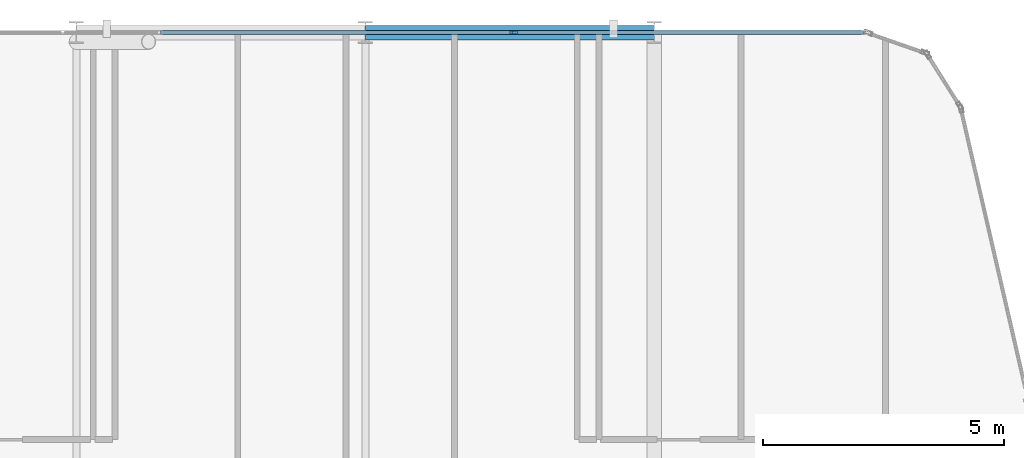
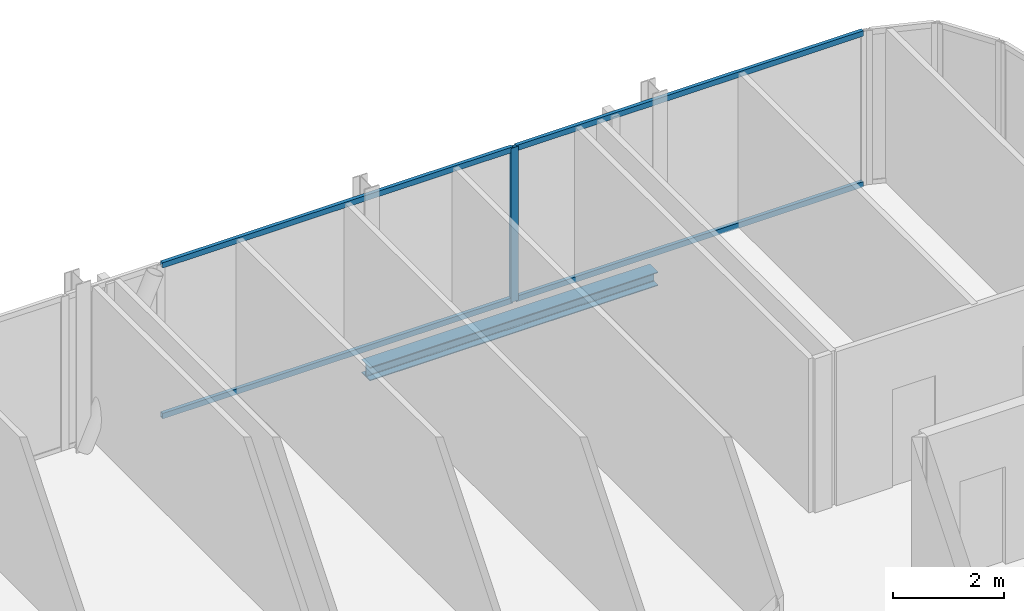
# One storey, part 19 of 29: 5 members, 1 beam, 1 element without a shape of its own.
"""IFC4 building model written with IfcOpenShell, lengths in metres."""

from ifc_helpers import new_model, si_unit, direction, frame, origin, origin_2d, place, context, subcontext, project, spatial, hollow_rectangle, i_section, extrude, material, layer, layer_set, material_profile, profile_set, type_object, element, aggregate, save


model = new_model("IFC4")

# Units and contexts
model_context = context("Model", 3, precision=1e-05, world=origin(), true_north=direction((0.0, 1.0)))
body_context = subcontext(model_context, "Body", "Model", "MODEL_VIEW")
ifc_project = project(units=[si_unit("LENGTHUNIT", "METRE"), si_unit("AREAUNIT", "SQUARE_METRE"), si_unit("VOLUMEUNIT", "CUBIC_METRE"), si_unit("PLANEANGLEUNIT", "RADIAN"), si_unit("MASSUNIT", "GRAM", prefix="KILO")], contexts=[model_context])

# Site, building, storey
site_placement = place(None, origin())
site = spatial("IfcSite", under=ifc_project, at=site_placement, CompositionType="ELEMENT")
building_placement = place(site_placement, origin())
building = spatial("IfcBuilding", under=site, at=building_placement, Name="Keshet Zoharim Tower", CompositionType="ELEMENT")
storey_placement = place(building_placement, frame((0.0, 0.0, 188.39990234375)))
storey = spatial("IfcBuildingStorey", under=building, at=storey_placement, Name="L46", CompositionType="ELEMENT", Elevation=188.39990234375)

# Beam
ifc_material_1 = material(Name="Steel S355", Category="steel")
ifc_material_profile_1 = material_profile(ifc_material_1, i_section(OverallWidth=0.300048828125, OverallDepth=0.300048828125, WebThickness=0.010986328125, FlangeThickness=0.01904296875, FilletRadius=0.027099609375, at=origin_2d()), Name="HEB300")
ifc_profile_set_1 = profile_set([ifc_material_profile_1], Name="Steel S355")
beam_type = type_object("IfcBeamType", Name="BM-PRI-HB300", PredefinedType="BEAM", material=ifc_profile_set_1)
beam_placement = place(storey_placement, frame((27.0, 53.89990234375, -0.4599609375), z_axis=(1.0, 0.0, 0.0), x_axis=(0.0, 1.0, 0.0)))
element("IfcBeam", 1, at=beam_placement, inside=storey, type_object=beam_type, Name="L46 Primary Girder X-020", PredefinedType="BEAM", context=body_context, shape_type="SweptSolid", body=[
    extrude(i_section(OverallWidth=0.300048828125, OverallDepth=0.300048828125, WebThickness=0.010986328125, FlangeThickness=0.01904296875, FilletRadius=0.027099609375, at=origin_2d()), origin(), (0.0, 0.0, 1.0), 6.0),
])

# Curtain wall, members
ifc_material_2 = material(Name="Aluminium 6063-T6", Category="aluminium")
ifc_layer = layer(ifc_material_2, 0.139892578125)
ifc_layer_set = layer_set([ifc_layer], Name="Aluminium 6063-T6")
curtain_wall_type = type_object("IfcCurtainWallType", Name="CW-SYS-05", PredefinedType="NOTDEFINED", material=ifc_layer_set)
curtain_wall_placement = place(storey_placement, origin())
curtain_wall = element("IfcCurtainWall", 2, at=curtain_wall_placement, inside=storey, type_object=curtain_wall_type, Name="L46 Unitised Curtain Wall 16 Part 3", PredefinedType="NOTDEFINED")
ifc_material_profile_2 = material_profile(ifc_material_2, hollow_rectangle(XDim=0.074951171875, YDim=0.159912109375, WallThickness=0.00390625, at=origin_2d()), Name="MUL-75x160")
ifc_profile_set_2 = profile_set([ifc_material_profile_2], Name="Aluminium 6063-T6")
member_type_1 = type_object("IfcMemberType", Name="CWM-M15", PredefinedType="MULLION", material=ifc_profile_set_2)
member_1_placement = place(storey_placement, frame((30.07861328125, 53.89990234375, 0.0), z_axis=(0.0, 0.0, 1.0), x_axis=(0.0, 1.0, 0.0)))
member_1 = element("IfcMember", 3, at=member_1_placement, type_object=member_type_1, Name="CW-05 mullion 2", PredefinedType="MULLION", context=body_context, shape_type="SweptSolid", body=[
    extrude(hollow_rectangle(XDim=0.074951171875, YDim=0.159912109375, WallThickness=0.00390625, at=origin_2d()), origin(), (0.0, 0.0, 1.0), 3.39013671875),
])
ifc_material_profile_3 = material_profile(ifc_material_2, hollow_rectangle(XDim=0.074951171875, YDim=0.1201171875, WallThickness=0.00390625, at=origin_2d()), Name="TRN-75x120")
ifc_profile_set_3 = profile_set([ifc_material_profile_3], Name="Aluminium 6063-T6")
member_type_2 = type_object("IfcMemberType", Name="CWT-T12", PredefinedType="USERDEFINED", material=ifc_profile_set_3)
member_2_placement = place(storey_placement, frame((22.748046875, 53.89990234375, 0.03515625), z_axis=(1.0, 0.0, 0.0), x_axis=(0.0, 1.0, 0.0)))
member_2 = element("IfcMember", 4, at=member_2_placement, type_object=member_type_2, Name="CW-05 transom 1.1", ObjectType="TRANSOM", PredefinedType="USERDEFINED", context=body_context, shape_type="SweptSolid", body=[
    extrude(hollow_rectangle(XDim=0.074951171875, YDim=0.1201171875, WallThickness=0.00390625, at=origin_2d()), origin(), (0.0, 0.0, 1.0), 7.29541015625),
])
member_3_placement = place(storey_placement, frame((22.748046875, 53.89990234375, 3.35498046875), z_axis=(1.0, 0.0, 0.0), x_axis=(0.0, 1.0, 0.0)))
member_3 = element("IfcMember", 5, at=member_3_placement, type_object=member_type_2, Name="CW-05 transom 1.2", ObjectType="TRANSOM", PredefinedType="USERDEFINED", context=body_context, shape_type="SweptSolid", body=[
    extrude(hollow_rectangle(XDim=0.074951171875, YDim=0.1201171875, WallThickness=0.00390625, at=origin_2d()), origin(), (0.0, 0.0, 1.0), 7.29541015625),
])
member_4_placement = place(storey_placement, frame((30.113525390625, 53.89990234375, 0.03515625), z_axis=(1.0, 0.0, 0.0), x_axis=(0.0, 1.0, 0.0)))
member_4 = element("IfcMember", 6, at=member_4_placement, type_object=member_type_2, Name="CW-05 transom 2.1", ObjectType="TRANSOM", PredefinedType="USERDEFINED", context=body_context, shape_type="SweptSolid", body=[
    extrude(hollow_rectangle(XDim=0.074951171875, YDim=0.1201171875, WallThickness=0.00390625, at=origin_2d()), origin(), (0.0, 0.0, 1.0), 7.2255859375),
])
member_5_placement = place(storey_placement, frame((30.113525390625, 53.89990234375, 3.35498046875), z_axis=(1.0, 0.0, 0.0), x_axis=(0.0, 1.0, 0.0)))
member_5 = element("IfcMember", 7, at=member_5_placement, type_object=member_type_2, Name="CW-05 transom 2.2", ObjectType="TRANSOM", PredefinedType="USERDEFINED", context=body_context, shape_type="SweptSolid", body=[
    extrude(hollow_rectangle(XDim=0.074951171875, YDim=0.1201171875, WallThickness=0.00390625, at=origin_2d()), origin(), (0.0, 0.0, 1.0), 7.2255859375),
])
aggregate(curtain_wall, [member_1, member_2, member_3, member_4, member_5])

save(model, "model.ifc")
